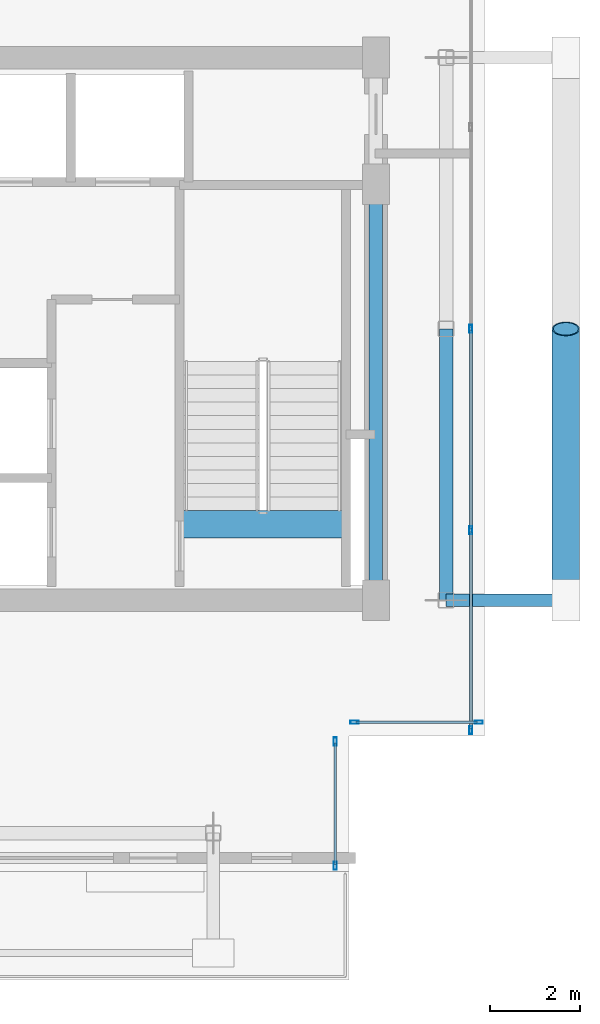
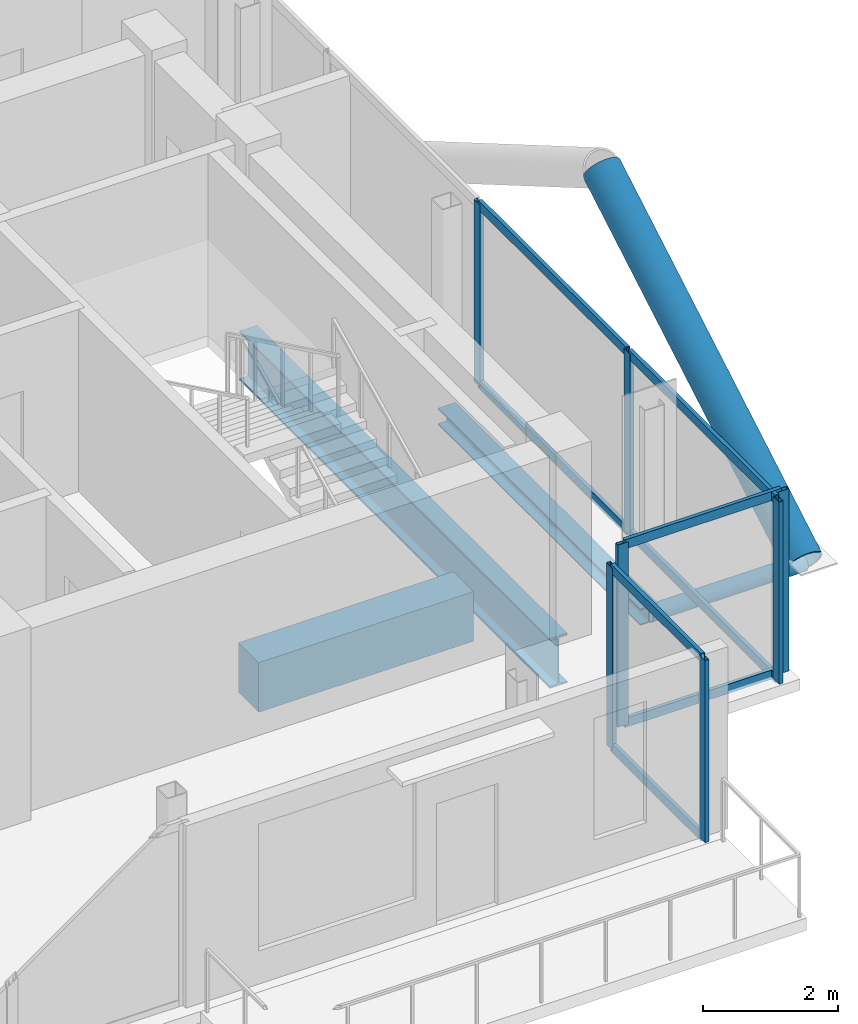
# One storey, part 12 of 19: 17 members, 3 beams, 3 elements without a shape of their own.
"""IFC4 building model written with IfcOpenShell, lengths in metres."""

from ifc_helpers import new_model, si_unit, direction, frame, origin, origin_2d, place, context, subcontext, project, spatial, rectangle, hollow_rectangle, hollow_circle, i_section, extrude, material, layer, layer_set, material_profile, profile_set, type_object, element, aggregate, save


model = new_model("IFC4")

# Units and contexts
model_context = context("Model", 3, precision=1e-05, world=origin(), true_north=direction((0.0, 1.0)))
body_context = subcontext(model_context, "Body", "Model", "MODEL_VIEW")
ifc_project = project(units=[si_unit("LENGTHUNIT", "METRE"), si_unit("AREAUNIT", "SQUARE_METRE"), si_unit("VOLUMEUNIT", "CUBIC_METRE"), si_unit("PLANEANGLEUNIT", "RADIAN"), si_unit("MASSUNIT", "GRAM", prefix="KILO"), si_unit("THERMODYNAMICTEMPERATUREUNIT", "KELVIN"), si_unit("POWERUNIT", "WATT")], contexts=[model_context])

# Site, building, storey
site_placement = place(None, origin())
site = spatial("IfcSite", under=ifc_project, at=site_placement, CompositionType="ELEMENT")
building_placement = place(site_placement, origin())
building = spatial("IfcBuilding", under=site, at=building_placement, Name="Svarakhadi Broadcast Tower", CompositionType="ELEMENT")
storey_placement = place(building_placement, frame((0.0, 0.0, 243.199951171875)))
storey = spatial("IfcBuildingStorey", under=building, at=storey_placement, Name="L60", CompositionType="ELEMENT", Elevation=243.199951171875)

# Curtain wall, members
ifc_material_1 = material(Name="Anodised Bronze Aluminium AA 6063-T6", Category="aluminium")
ifc_layer = layer(ifc_material_1, 0.179931640625)
ifc_layer_set = layer_set([ifc_layer], Name="Anodised Bronze Aluminium AA 6063-T6")
curtain_wall_type = type_object("IfcCurtainWallType", Name="CW_Sys_05", PredefinedType="NOTDEFINED", material=ifc_layer_set)
curtain_wall_1_placement = place(storey_placement, origin())
curtain_wall_1 = element("IfcCurtainWall", 1, at=curtain_wall_1_placement, inside=storey, type_object=curtain_wall_type, Name="L60 Unitised Facade Curtain Wall 12", PredefinedType="NOTDEFINED")
ifc_material_profile_1 = material_profile(ifc_material_1, hollow_rectangle(XDim=0.070068359375, YDim=0.179931640625, WallThickness=0.005615234375, at=origin_2d()), Name="ALU MULLION 180x70x6")
ifc_profile_set_1 = profile_set([ifc_material_profile_1], Name="Anodised Bronze Aluminium AA 6063-T6")
member_type_1 = type_object("IfcMemberType", Name="CW_Sys_05_Mul", PredefinedType="MULLION", material=ifc_profile_set_1)
member_1_placement = place(storey_placement, frame((35.699951171875, 12.0, 0.0), z_axis=(0.0, 0.0, 1.0), x_axis=(1.0, 0.0, 0.0)))
member_1 = element("IfcMember", 2, at=member_1_placement, type_object=member_type_1, Name="CW-05 mullion 3", PredefinedType="MULLION", context=body_context, shape_type="SweptSolid", body=[
    extrude(hollow_rectangle(XDim=0.070068359375, YDim=0.179931640625, WallThickness=0.005615234375, at=origin_2d()), origin(), (0.0, 0.0, 1.0), 3.300048828125),
])
member_2_placement = place(storey_placement, frame((35.699951171875, 7.544921875, 0.0), z_axis=(0.0, 0.0, 1.0), x_axis=(1.0, 0.0, 0.0)))
member_2 = element("IfcMember", 3, at=member_2_placement, type_object=member_type_1, Name="CW-05 mullion 4", PredefinedType="MULLION", context=body_context, shape_type="SweptSolid", body=[
    extrude(hollow_rectangle(XDim=0.070068359375, YDim=0.179931640625, WallThickness=0.005615234375, at=origin_2d()), origin(), (0.0, 0.0, 1.0), 3.300048828125),
])
member_3_placement = place(storey_placement, frame((35.699951171875, 3.125, 0.0), z_axis=(0.0, 0.0, 1.0), x_axis=(1.0, 0.0, 0.0)))
member_3 = element("IfcMember", 4, at=member_3_placement, type_object=member_type_1, Name="CW-05 mullion 5", PredefinedType="MULLION", context=body_context, shape_type="SweptSolid", body=[
    extrude(hollow_rectangle(XDim=0.070068359375, YDim=0.179931640625, WallThickness=0.005615234375, at=origin_2d()), origin(), (0.0, 0.0, 1.0), 3.300048828125),
])

curtain_wall_2_placement = place(storey_placement, origin())
curtain_wall_2 = element("IfcCurtainWall", 5, at=curtain_wall_2_placement, inside=storey, type_object=curtain_wall_type, Name="L60 Unitised Facade Curtain Wall 13", PredefinedType="NOTDEFINED")
member_4_placement = place(storey_placement, frame((35.875, 3.300048828125, 0.0), z_axis=(0.0, 0.0, 1.0), x_axis=(0.0, -1.0, 0.0)))
member_4 = element("IfcMember", 6, at=member_4_placement, type_object=member_type_1, Name="CW-05 mullion 1", PredefinedType="MULLION", context=body_context, shape_type="SweptSolid", body=[
    extrude(hollow_rectangle(XDim=0.070068359375, YDim=0.179931640625, WallThickness=0.005615234375, at=origin_2d()), origin(), (0.0, 0.0, 1.0), 3.300048828125),
])
member_5_placement = place(storey_placement, frame((33.125, 3.300048828125, 0.0), z_axis=(0.0, 0.0, 1.0), x_axis=(0.0, -1.0, 0.0)))
member_5 = element("IfcMember", 7, at=member_5_placement, type_object=member_type_1, Name="CW-05 mullion 2", PredefinedType="MULLION", context=body_context, shape_type="SweptSolid", body=[
    extrude(hollow_rectangle(XDim=0.070068359375, YDim=0.179931640625, WallThickness=0.005615234375, at=origin_2d()), origin(), (0.0, 0.0, 1.0), 3.300048828125),
])

curtain_wall_3_placement = place(storey_placement, origin())
curtain_wall_3 = element("IfcCurtainWall", 8, at=curtain_wall_3_placement, inside=storey, type_object=curtain_wall_type, Name="L60 Unitised Facade Curtain Wall 14", PredefinedType="NOTDEFINED")
member_6_placement = place(storey_placement, frame((32.699951171875, 2.875, 0.0), z_axis=(0.0, 0.0, 1.0), x_axis=(1.0, 0.0, 0.0)))
member_6 = element("IfcMember", 9, at=member_6_placement, type_object=member_type_1, Name="CW-05 mullion 1", PredefinedType="MULLION", context=body_context, shape_type="SweptSolid", body=[
    extrude(hollow_rectangle(XDim=0.070068359375, YDim=0.179931640625, WallThickness=0.005615234375, at=origin_2d()), origin(), (0.0, 0.0, 1.0), 3.300048828125),
])
member_7_placement = place(storey_placement, frame((32.699951171875, 0.125, 0.0), z_axis=(0.0, 0.0, 1.0), x_axis=(1.0, 0.0, 0.0)))
member_7 = element("IfcMember", 10, at=member_7_placement, type_object=member_type_1, Name="CW-05 mullion 2", PredefinedType="MULLION", context=body_context, shape_type="SweptSolid", body=[
    extrude(hollow_rectangle(XDim=0.070068359375, YDim=0.179931640625, WallThickness=0.005615234375, at=origin_2d()), origin(), (0.0, 0.0, 1.0), 3.300048828125),
])

# Member
ifc_material_profile_2 = material_profile(ifc_material_1, hollow_rectangle(XDim=0.06494140625, YDim=0.1650390625, WallThickness=0.0048828125, at=origin_2d()), Name="ALU TRANSOM 165x65x5")
ifc_profile_set_2 = profile_set([ifc_material_profile_2], Name="Anodised Bronze Aluminium AA 6063-T6")
member_type_2 = type_object("IfcMemberType", Name="CW_Sys_05_Trn", PredefinedType="USERDEFINED", material=ifc_profile_set_2)
member_8_placement = place(storey_placement, frame((35.699951171875, 11.965087890625, 0.032470703125), z_axis=(0.0, -1.0, 0.0), x_axis=(1.0, 0.0, 0.0)))
member_8 = element("IfcMember", 11, at=member_8_placement, type_object=member_type_2, Name="CW-05 transom 3.1", ObjectType="TRANSOM", PredefinedType="USERDEFINED", context=body_context, shape_type="SweptSolid", body=[
    extrude(hollow_rectangle(XDim=0.06494140625, YDim=0.1650390625, WallThickness=0.0048828125, at=origin_2d()), origin(), (0.0, 0.0, 1.0), 4.385009765625),
])

member_9_placement = place(storey_placement, frame((35.699951171875, 11.965087890625, 3.267578125), z_axis=(0.0, -1.0, 0.0), x_axis=(1.0, 0.0, 0.0)))
member_9 = element("IfcMember", 12, at=member_9_placement, type_object=member_type_2, Name="CW-05 transom 3.2", ObjectType="TRANSOM", PredefinedType="USERDEFINED", context=body_context, shape_type="SweptSolid", body=[
    extrude(hollow_rectangle(XDim=0.06494140625, YDim=0.1650390625, WallThickness=0.0048828125, at=origin_2d()), origin(), (0.0, 0.0, 1.0), 4.385009765625),
])

member_10_placement = place(storey_placement, frame((35.699951171875, 7.510009765625, 0.032470703125), z_axis=(0.0, -1.0, 0.0), x_axis=(1.0, 0.0, 0.0)))
member_10 = element("IfcMember", 13, at=member_10_placement, type_object=member_type_2, Name="CW-05 transom 4.1", ObjectType="TRANSOM", PredefinedType="USERDEFINED", context=body_context, shape_type="SweptSolid", body=[
    extrude(hollow_rectangle(XDim=0.06494140625, YDim=0.1650390625, WallThickness=0.0048828125, at=origin_2d()), origin(), (0.0, 0.0, 1.0), 4.35009765625),
])

member_11_placement = place(storey_placement, frame((35.699951171875, 7.510009765625, 3.267578125), z_axis=(0.0, -1.0, 0.0), x_axis=(1.0, 0.0, 0.0)))
member_11 = element("IfcMember", 14, at=member_11_placement, type_object=member_type_2, Name="CW-05 transom 4.2", ObjectType="TRANSOM", PredefinedType="USERDEFINED", context=body_context, shape_type="SweptSolid", body=[
    extrude(hollow_rectangle(XDim=0.06494140625, YDim=0.1650390625, WallThickness=0.0048828125, at=origin_2d()), origin(), (0.0, 0.0, 1.0), 4.35009765625),
])

aggregate(curtain_wall_1, [member_1, member_2, member_3, member_8, member_9, member_10, member_11])

member_12_placement = place(storey_placement, frame((35.840087890625, 3.300048828125, 0.032470703125), z_axis=(-1.0, 0.0, 0.0), x_axis=(0.0, -1.0, 0.0)))
member_12 = element("IfcMember", 15, at=member_12_placement, type_object=member_type_2, Name="CW-05 transom 1.1", ObjectType="TRANSOM", PredefinedType="USERDEFINED", context=body_context, shape_type="SweptSolid", body=[
    extrude(hollow_rectangle(XDim=0.06494140625, YDim=0.1650390625, WallThickness=0.0048828125, at=origin_2d()), origin(), (0.0, 0.0, 1.0), 2.68017578125),
])

member_13_placement = place(storey_placement, frame((35.840087890625, 3.300048828125, 3.267578125), z_axis=(-1.0, 0.0, 0.0), x_axis=(0.0, -1.0, 0.0)))
member_13 = element("IfcMember", 16, at=member_13_placement, type_object=member_type_2, Name="CW-05 transom 1.2", ObjectType="TRANSOM", PredefinedType="USERDEFINED", context=body_context, shape_type="SweptSolid", body=[
    extrude(hollow_rectangle(XDim=0.06494140625, YDim=0.1650390625, WallThickness=0.0048828125, at=origin_2d()), origin(), (0.0, 0.0, 1.0), 2.68017578125),
])

aggregate(curtain_wall_2, [member_4, member_5, member_12, member_13])

member_14_placement = place(storey_placement, frame((32.699951171875, 2.840087890625, 0.032470703125), z_axis=(0.0, -1.0, 0.0), x_axis=(1.0, 0.0, 0.0)))
member_14 = element("IfcMember", 17, at=member_14_placement, type_object=member_type_2, Name="CW-05 transom 1.1", ObjectType="TRANSOM", PredefinedType="USERDEFINED", context=body_context, shape_type="SweptSolid", body=[
    extrude(hollow_rectangle(XDim=0.06494140625, YDim=0.1650390625, WallThickness=0.0048828125, at=origin_2d()), origin(), (0.0, 0.0, 1.0), 2.68017578125),
])

member_15_placement = place(storey_placement, frame((32.699951171875, 2.840087890625, 3.267578125), z_axis=(0.0, -1.0, 0.0), x_axis=(1.0, 0.0, 0.0)))
member_15 = element("IfcMember", 18, at=member_15_placement, type_object=member_type_2, Name="CW-05 transom 1.2", ObjectType="TRANSOM", PredefinedType="USERDEFINED", context=body_context, shape_type="SweptSolid", body=[
    extrude(hollow_rectangle(XDim=0.06494140625, YDim=0.1650390625, WallThickness=0.0048828125, at=origin_2d()), origin(), (0.0, 0.0, 1.0), 2.68017578125),
])

aggregate(curtain_wall_3, [member_6, member_7, member_14, member_15])

# Beam
ifc_material_2 = material(Name="Concrete C50/60 (IS 456 M60)", Category="concrete")
ifc_material_profile_3 = material_profile(ifc_material_2, rectangle(XDim=0.60009765625, YDim=0.89990234375, at=origin_2d()), Name="RC 600x900")
ifc_profile_set_3 = profile_set([ifc_material_profile_3], Name="Concrete C50/60 (IS 456 M60)")
beam_type_1 = type_object("IfcBeamType", Name="Coupling_RC600", PredefinedType="USERDEFINED", material=ifc_profile_set_3)
beam_1_placement = place(storey_placement, frame((29.260009765625, 7.679931640625, -0.449951171875), z_axis=(1.0, 0.0, 0.0), x_axis=(0.0, 1.0, 0.0)))
element("IfcBeam", 19, at=beam_1_placement, inside=storey, type_object=beam_type_1, Name="L60 Stair ST-02 Landing Throat Trimmer Beam CB-01", ObjectType="GIRDER", PredefinedType="USERDEFINED", context=body_context, shape_type="SweptSolid", body=[
    extrude(rectangle(XDim=0.60009765625, YDim=0.89990234375, at=origin_2d()), origin(), (0.0, 0.0, 1.0), 3.679931640625),
])

# Members
ifc_material_3 = material(Name="Steel S460ML (IS 2062 E450BR)", Category="steel")
ifc_material_profile_4 = material_profile(ifc_material_3, hollow_circle(Radius=0.304931640625, WallThickness=0.030029296875, at=origin_2d()), Name="CHS 610x30")
ifc_profile_set_4 = profile_set([ifc_material_profile_4], Name="Steel S460ML (IS 2062 E450BR)")
member_type_3 = type_object("IfcMemberType", Name="Exo_Brace_CHS610", PredefinedType="BRACE", material=ifc_profile_set_4)
member_16_placement = place(storey_placement, frame((37.800048828125, 6.0, -0.33642578125), z_axis=(0.0, 0.863778900898, 0.503871025524), x_axis=(-1.0, 0.0, 0.0)))
element("IfcMember", 20, at=member_16_placement, inside=storey, type_object=member_type_3, Name="L60 Exposed Bronze Exoskeleton Diagonal E04", PredefinedType="BRACE", context=body_context, shape_type="SweptSolid", body=[
    extrude(hollow_circle(Radius=0.304931640625, WallThickness=0.030029296875, at=origin_2d()), origin(), (0.0, 0.0, 1.0), 6.9462890625),
])
ifc_material_profile_5 = material_profile(ifc_material_3, hollow_circle(Radius=0.136474609375, WallThickness=0.012451171875, at=origin_2d()), Name="CHS 273x12.5")
ifc_profile_set_5 = profile_set([ifc_material_profile_5], Name="Steel S460ML (IS 2062 E450BR)")
member_type_4 = type_object("IfcMemberType", Name="Exo_Radial_Strut_Z3", PredefinedType="STRUT", material=ifc_profile_set_5)
member_17_placement = place(storey_placement, frame((37.800048828125, 6.0, -0.33642578125), z_axis=(-1.0, 0.0, 0.0), x_axis=(0.0, -1.0, 0.0)))
element("IfcMember", 21, at=member_17_placement, inside=storey, type_object=member_type_4, Name="L60 Exoskeleton Radial Tie Strut E05", PredefinedType="STRUT", context=body_context, shape_type="SweptSolid", body=[
    extrude(hollow_circle(Radius=0.136474609375, WallThickness=0.012451171875, at=origin_2d()), origin(), (0.0, 0.0, 1.0), 2.650146484375),
])

# Beams
ifc_material_4 = material(Name="Steel S355J2 (IS 2062 E350C)", Category="steel")
ifc_material_profile_6 = material_profile(ifc_material_4, i_section(OverallWidth=0.300048828125, OverallDepth=0.300048828125, WebThickness=0.010986328125, FlangeThickness=0.01904296875, FilletRadius=0.027099609375, at=origin_2d()), Name="WPB 300x300x117")
ifc_profile_set_6 = profile_set([ifc_material_profile_6], Name="Steel S355J2 (IS 2062 E350C)")
beam_type_2 = type_object("IfcBeamType", Name="Girder_WPB300", PredefinedType="USERDEFINED", material=ifc_profile_set_6)
beam_2_placement = place(storey_placement, frame((35.14990234375, 6.0, -0.349853515625), z_axis=(0.0, 1.0, 0.0), x_axis=(-1.0, 0.0, 0.0)))
element("IfcBeam", 22, at=beam_2_placement, inside=storey, type_object=beam_type_2, Name="L60 Primary N-S Girder G045", ObjectType="GIRDER", PredefinedType="USERDEFINED", context=body_context, shape_type="SweptSolid", body=[
    extrude(i_section(OverallWidth=0.300048828125, OverallDepth=0.300048828125, WebThickness=0.010986328125, FlangeThickness=0.01904296875, FilletRadius=0.027099609375, at=origin_2d()), origin(), (0.0, 0.0, 1.0), 6.0),
])
ifc_material_profile_7 = material_profile(ifc_material_3, i_section(OverallWidth=0.300048828125, OverallDepth=0.89990234375, WebThickness=0.0185546875, FlangeThickness=0.034912109375, FilletRadius=0.030029296875, at=origin_2d()), Name="WPB 900x300x291")
ifc_profile_set_7 = profile_set([ifc_material_profile_7], Name="Steel S460ML (IS 2062 E450BR)")
beam_type_3 = type_object("IfcBeamType", Name="Girder_WPB900", PredefinedType="USERDEFINED", material=ifc_profile_set_7)
beam_3_placement = place(storey_placement, frame((33.60009765625, 6.0, -0.64990234375), z_axis=(0.0, 1.0, 0.0), x_axis=(-1.0, 0.0, 0.0)))
element("IfcBeam", 23, at=beam_3_placement, inside=storey, type_object=beam_type_3, Name="L60 Primary N-S Girder G043", ObjectType="GIRDER", PredefinedType="USERDEFINED", context=body_context, shape_type="SweptSolid", body=[
    extrude(i_section(OverallWidth=0.300048828125, OverallDepth=0.89990234375, WebThickness=0.0185546875, FlangeThickness=0.034912109375, FilletRadius=0.030029296875, at=origin_2d()), origin(), (0.0, 0.0, 1.0), 9.199951171875),
])

save(model, "model.ifc")
